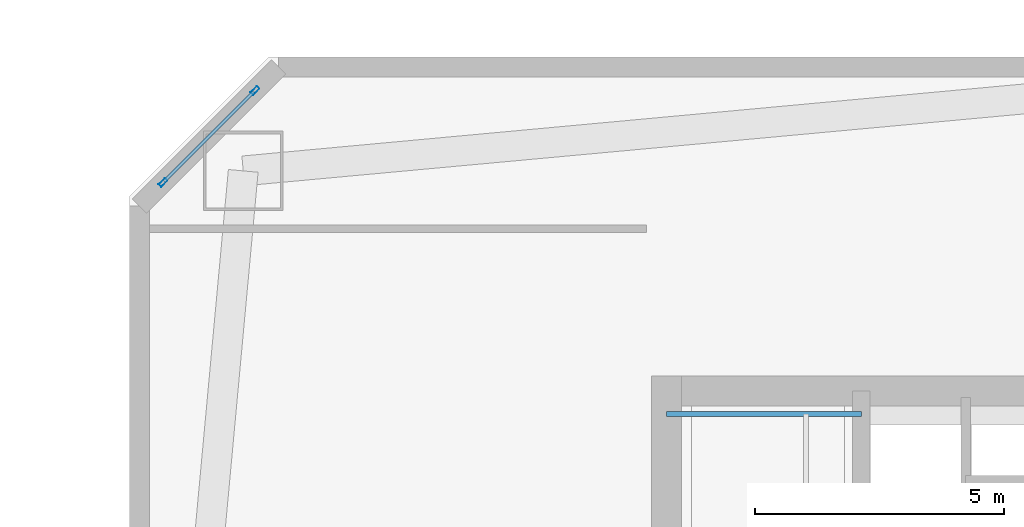
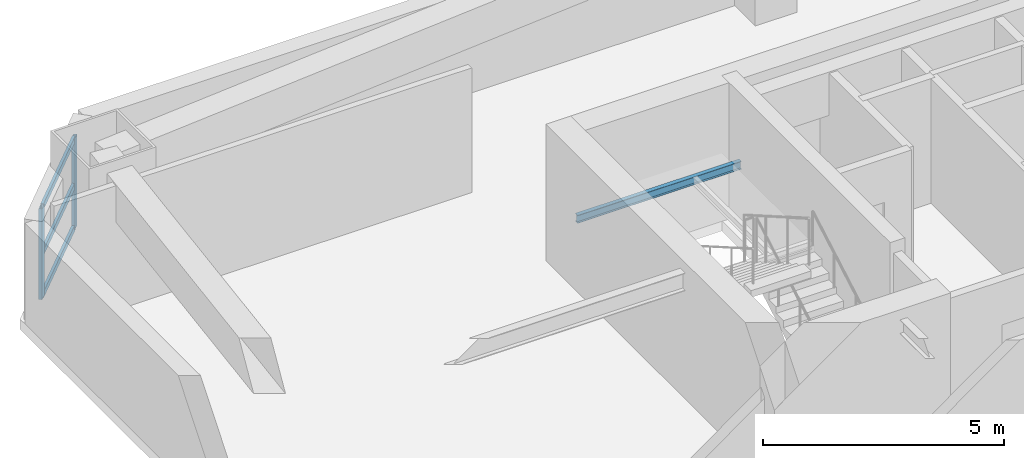
# One storey, part 5 of 23: 5 members, 1 beam, 1 element without a shape of its own.
"""IFC4 building model written with IfcOpenShell, lengths in metres."""

import ifcopenshell
import ifcopenshell.guid

model = None  # the IFC model being written
_history = None  # IfcOwnerHistory: only IFC2X3 demands one
_inside = {}  # id of a spatial element -> (the spatial element, [elements in it])
_under = {}  # id of a project, library or spatial element -> (it, [spatial elements below it])
_declared = {}  # id of a project -> (the project, [libraries it declares])
_typed = {}  # id of a type object -> (the type object, [elements of that type])
_made_of = {}  # id of a material, layer set ... -> (it, [elements and type objects made of it])


def new_model(schema):
    """Start an empty IFC model of exactly this schema.

    Asked for "IFC4X3", IfcOpenShell would pick the latest addendum, in which some entities
    have other attributes; the version numbers below select the first issue.
    IFC2X3 requires an IfcOwnerHistory on every rooted entity: one is made here for all.
    """
    global model, _history
    if schema == "IFC4X3":
        model = ifcopenshell.file(schema_version=(4, 3, 0, 0))
    else:
        model = ifcopenshell.file(schema=schema)
    _inside.clear()
    _under.clear()
    _declared.clear()
    _typed.clear()
    _made_of.clear()
    _history = None
    if model.schema == "IFC2X3":
        org = make("IfcOrganization", Name="unknown")
        user = make(
            "IfcPersonAndOrganization",
            ThePerson=make("IfcPerson", FamilyName="unknown"),
            TheOrganization=org,
        )
        app = make(
            "IfcApplication",
            ApplicationDeveloper=org,
            Version="unknown",
            ApplicationFullName="unknown",
            ApplicationIdentifier="unknown",
        )
        _history = make(
            "IfcOwnerHistory",
            OwningUser=user,
            OwningApplication=app,
            ChangeAction="ADDED",
            CreationDate=0,
        )
    return model


def make(cls, **values):
    """One entity of the class cls with the attributes given. An attribute that is None is left unset."""
    return model.create_entity(
        cls, **{name: value for name, value in values.items() if value is not None}
    )


def rooted(cls, **values):
    """An entity with a GlobalId (a new one), such as an element, a storey or a relation."""
    return make(cls, GlobalId=ifcopenshell.guid.new(), OwnerHistory=_history, **values)


def si_unit(unit_type, name, prefix=None):
    """IfcSIUnit, for example si_unit("LENGTHUNIT", "METRE", prefix="MILLI")."""
    return make("IfcSIUnit", UnitType=unit_type, Prefix=prefix, Name=name)


def assignment(units):
    """IfcUnitAssignment: the units of a project."""
    return None if units is None else make("IfcUnitAssignment", Units=units)


def point(xyz):
    """IfcCartesianPoint."""
    return None if xyz is None else make("IfcCartesianPoint", Coordinates=xyz)


def direction(xyz):
    """IfcDirection."""
    return None if xyz is None else make("IfcDirection", DirectionRatios=xyz)


def frame(location, z_axis=None, x_axis=None):
    """IfcAxis2Placement3D, a coordinate frame: its origin and axes. An axis left out is left unset."""
    return make(
        "IfcAxis2Placement3D",
        Location=point(location),
        Axis=direction(z_axis),
        RefDirection=direction(x_axis),
    )


def frame_2d(location, x_axis=None):
    """IfcAxis2Placement2D, a coordinate frame in the plane: its origin and x axis."""
    return make(
        "IfcAxis2Placement2D", Location=point(location), RefDirection=direction(x_axis)
    )


def origin():
    """The frame at (0, 0, 0) with its axes left unset."""
    return frame((0.0, 0.0, 0.0))


def origin_2d():
    """The frame at (0, 0) in the plane with its x axis left unset."""
    return frame_2d((0.0, 0.0))


def place(relative_to, where):
    """IfcLocalPlacement: puts the frame where relative to a parent placement (None: the world)."""
    return make(
        "IfcLocalPlacement", PlacementRelTo=relative_to, RelativePlacement=where
    )


def context(
    kind, dimensions, precision=None, world=None, true_north=None, identifier=None
):
    """IfcGeometricRepresentationContext, for example the 3D "Model" context."""
    return make(
        "IfcGeometricRepresentationContext",
        ContextIdentifier=identifier,
        ContextType=kind,
        CoordinateSpaceDimension=dimensions,
        Precision=precision,
        WorldCoordinateSystem=world,
        TrueNorth=true_north,
    )


def subcontext(parent, identifier, kind, view, scale=None):
    """IfcGeometricRepresentationSubContext, for example "Body" below "Model"."""
    return make(
        "IfcGeometricRepresentationSubContext",
        ContextIdentifier=identifier,
        ContextType=kind,
        ParentContext=parent,
        TargetScale=scale,
        TargetView=view,
    )


def project(units=None, contexts=None):
    """IfcProject with its units and contexts."""
    return rooted(
        "IfcProject",
        Name="project",
        RepresentationContexts=contexts,
        UnitsInContext=assignment(units),
    )


def spatial(cls, under=None, at=None, **own):
    """A site, building, storey or space (cls), placed at a placement, below another one or the project."""
    s = rooted(cls, ObjectPlacement=at, **own)
    if under is not None:
        _under.setdefault(under.id(), (under, []))[1].append(s)
    return s


def profile(cls, at=None, kind="AREA", **sizes):
    """A parametric profile (cls). Its sizes go by their IFC names, for example OverallWidth=200.0."""
    return make(cls, ProfileType=kind, Position=at, **sizes)


def hollow_rectangle(**sizes):
    """IfcRectangleHollowProfileDef."""
    return profile("IfcRectangleHollowProfileDef", **sizes)


def i_section(**sizes):
    """IfcIShapeProfileDef."""
    return profile("IfcIShapeProfileDef", **sizes)


def extrude(swept, where, along, depth):
    """IfcExtrudedAreaSolid: the profile swept, set in the frame where, extruded along a direction by depth."""
    return make(
        "IfcExtrudedAreaSolid",
        SweptArea=swept,
        Position=where,
        ExtrudedDirection=direction(along),
        Depth=depth,
    )


def shape(context_of_items, identifier, shape_type, items):
    """IfcShapeRepresentation: the items that make up one representation, for example the "Body"."""
    return make(
        "IfcShapeRepresentation",
        ContextOfItems=context_of_items,
        RepresentationIdentifier=identifier,
        RepresentationType=shape_type,
        Items=items,
    )


def material(Name=None, Category=None):
    """IfcMaterial."""
    return make("IfcMaterial", Name=Name, Category=Category)


def layer(
    of_material, thickness, ventilated=None, Name=None, Category=None, Priority=None
):
    """IfcMaterialLayer: one layer of a wall or slab, of a material (None: an air gap)."""
    return make(
        "IfcMaterialLayer",
        Material=of_material,
        LayerThickness=thickness,
        IsVentilated=ventilated,
        Name=Name,
        Category=Category,
        Priority=Priority,
    )


def layer_set(layers, Name=None):
    """IfcMaterialLayerSet."""
    return make("IfcMaterialLayerSet", MaterialLayers=layers, LayerSetName=Name)


def material_profile(
    of_material, cross_section, Name=None, Category=None, Priority=None
):
    """IfcMaterialProfile: a cross section and its material."""
    return make(
        "IfcMaterialProfile",
        Name=Name,
        Material=of_material,
        Profile=cross_section,
        Priority=Priority,
        Category=Category,
    )


def profile_set(profiles, Name=None, composite=None):
    """IfcMaterialProfileSet."""
    return make(
        "IfcMaterialProfileSet",
        Name=Name,
        MaterialProfiles=profiles,
        CompositeProfile=composite,
    )


def made_of(thing, what):
    """Note that an element or type object is made of a material, layer set ...; save() writes the relation."""
    if what is not None:
        _made_of.setdefault(what.id(), (what, []))[1].append(thing)
    return thing


def type_object(cls, material=None, **own):
    """A type object (cls), such as IfcWallType, which elements share."""
    return made_of(rooted(cls, **own), material)


def element(
    cls,
    number,
    at=None,
    inside=None,
    cuts=None,
    type_object=None,
    material=None,
    context=None,
    identifier="Body",
    shape_type=None,
    held_by="IfcProductDefinitionShape",
    body=None,
    shapes=None,
    **own,
):
    """One element of the class cls, such as IfcWall. Its Tag is "e" and its number.

    at: its placement. inside: the storey or other place that contains it. cuts: it is an
    opening in that element (IfcRelVoidsElement). A single representation is given by context,
    identifier, shape_type and body (its items); several are given by shapes. held_by: the class
    of the entity that holds the representations. save() writes the other relations.
    """
    e = rooted(cls, Tag="e%d" % number, ObjectPlacement=at, **own)
    if body is not None:
        shapes = [shape(context, identifier, shape_type, body)]
    if shapes is not None:
        e.Representation = make(held_by, Representations=shapes)
    if inside is not None:
        _inside.setdefault(inside.id(), (inside, []))[1].append(e)
    if cuts is not None:
        rooted(
            "IfcRelVoidsElement", RelatingBuildingElement=cuts, RelatedOpeningElement=e
        )
    if type_object is not None:
        _typed.setdefault(type_object.id(), (type_object, []))[1].append(e)
    return made_of(e, material)


def aggregate(whole, parts):
    """IfcRelAggregates: a whole, such as a stair, and the parts it consists of."""
    return rooted("IfcRelAggregates", RelatingObject=whole, RelatedObjects=parts)


def save(model, path):
    """Write the relations noted so far, then the file.

    IfcRelAggregates (storeys below a building ...), IfcRelContainedInSpatialStructure (elements
    in a storey), IfcRelDefinesByType, IfcRelAssociatesMaterial and IfcRelDeclares: one each for
    every whole, place, type object, material and project.
    """
    for whole, parts in _under.values():
        aggregate(whole, parts)
    for where, things in _inside.values():
        rooted(
            "IfcRelContainedInSpatialStructure",
            RelatedElements=things,
            RelatingStructure=where,
        )
    for kind, things in _typed.values():
        rooted("IfcRelDefinesByType", RelatedObjects=things, RelatingType=kind)
    for what, things in _made_of.values():
        rooted("IfcRelAssociatesMaterial", RelatedObjects=things, RelatingMaterial=what)
    for by, libraries in _declared.values():
        rooted("IfcRelDeclares", RelatingContext=by, RelatedDefinitions=libraries)
    model.write(path)


model = new_model("IFC4")

# Units and contexts
model_context = context("Model", 3, precision=1e-05, world=origin(), true_north=direction((0.0, 1.0)))
body_context = subcontext(model_context, "Body", "Model", "MODEL_VIEW")
ifc_project = project(units=[si_unit("LENGTHUNIT", "METRE"), si_unit("AREAUNIT", "SQUARE_METRE"), si_unit("VOLUMEUNIT", "CUBIC_METRE"), si_unit("PLANEANGLEUNIT", "RADIAN"), si_unit("MASSUNIT", "GRAM", prefix="KILO")], contexts=[model_context])

# Site, building, storey
site_placement = place(None, origin())
site = spatial("IfcSite", under=ifc_project, at=site_placement, CompositionType="ELEMENT")
building_placement = place(site_placement, origin())
building = spatial("IfcBuilding", under=site, at=building_placement, Name="Qiaolan Cultural Towers", CompositionType="ELEMENT")
storey_placement = place(building_placement, frame((0.0, 0.0, 100.050048828125)))
storey = spatial("IfcBuildingStorey", under=building, at=storey_placement, Name="L25", CompositionType="ELEMENT", Elevation=100.050048828125)

# Beam
ifc_material_1 = material(Name="Steel Q355B", Category="steel")
ifc_material_profile_1 = material_profile(ifc_material_1, i_section(OverallWidth=0.10009765625, OverallDepth=0.199951171875, WebThickness=0.005615234375, FlangeThickness=0.008056640625, at=origin_2d()), Name="HN200x100x5.5x8")
ifc_profile_set_1 = profile_set([ifc_material_profile_1], Name="Steel Q355B")
beam_type = type_object("IfcBeamType", Name="BM-STTRIM-200", PredefinedType="BEAM", material=ifc_profile_set_1)
beam_placement = place(storey_placement, frame((21.800048828125, 54.820068359375, 1.425048828125), z_axis=(1.0, 0.0, 0.0), x_axis=(0.0, 1.0, 0.0)))
element("IfcBeam", 1, at=beam_placement, inside=storey, type_object=beam_type, Name="L25 ST-W2 Stair Landing Support Beam 1-2", PredefinedType="BEAM", context=body_context, shape_type="SweptSolid", body=[
    extrude(i_section(OverallWidth=0.10009765625, OverallDepth=0.199951171875, WebThickness=0.005615234375, FlangeThickness=0.008056640625, at=origin_2d()), origin(), (0.0, 0.0, 1.0), 3.919921875),
])

# Curtain wall, members
ifc_material_2 = material(Name="Unitized Anodized Aluminium Curtain Wall System", Category="aluminium")
ifc_layer = layer(ifc_material_2, 0.199951171875)
ifc_layer_set = layer_set([ifc_layer], Name="Unitized Anodized Aluminium Curtain Wall System")
curtain_wall_type = type_object("IfcCurtainWallType", Name="CWS-03", PredefinedType="NOTDEFINED", material=ifc_layer_set)
curtain_wall_placement = place(storey_placement, origin())
curtain_wall = element("IfcCurtainWall", 2, at=curtain_wall_placement, inside=storey, type_object=curtain_wall_type, Name="L25 T1 Chamfer Wind-Corner Feature Curtain Wall 1", PredefinedType="NOTDEFINED")
ifc_material_3 = material(Name="Extruded Aluminium 6063-T6", Category="aluminium")
ifc_material_profile_2 = material_profile(ifc_material_3, hollow_rectangle(XDim=0.074951171875, YDim=0.179931640625, WallThickness=0.00390625, at=origin_2d()), Name="CWM-180x75x4")
ifc_profile_set_2 = profile_set([ifc_material_profile_2], Name="Extruded Aluminium 6063-T6")
member_type_1 = type_object("IfcMemberType", Name="CWS-03-MUL", PredefinedType="MULLION", material=ifc_profile_set_2)
member_1_placement = place(storey_placement, frame((11.674560546875, 59.474609375, 0.14990234375), z_axis=(0.0, 0.0, 1.0), x_axis=(-0.707106781187, 0.707106781187, 0.0)))
member_1 = element("IfcMember", 3, at=member_1_placement, type_object=member_type_1, Name="CW-3 mullion 1", PredefinedType="MULLION", context=body_context, shape_type="SweptSolid", body=[
    extrude(hollow_rectangle(XDim=0.074951171875, YDim=0.179931640625, WallThickness=0.00390625, at=origin_2d()), origin(), (0.0, 0.0, 1.0), 2.300048828125),
])
member_2_placement = place(storey_placement, frame((13.525390625, 61.325439453125, 0.14990234375), z_axis=(0.0, 0.0, 1.0), x_axis=(-0.707106781187, 0.707106781187, 0.0)))
member_2 = element("IfcMember", 4, at=member_2_placement, type_object=member_type_1, Name="CW-3 mullion 2", PredefinedType="MULLION", context=body_context, shape_type="SweptSolid", body=[
    extrude(hollow_rectangle(XDim=0.074951171875, YDim=0.179931640625, WallThickness=0.00390625, at=origin_2d()), origin(), (0.0, 0.0, 1.0), 2.300048828125),
])
ifc_material_4 = material(Name="Extruded Aluminium 6063-T6", Category="aluminium")
ifc_material_profile_3 = material_profile(ifc_material_4, hollow_rectangle(XDim=0.06494140625, YDim=0.14990234375, WallThickness=0.00390625, at=origin_2d()), Name="CWT-150x65x4")
ifc_profile_set_3 = profile_set([ifc_material_profile_3], Name="Extruded Aluminium 6063-T6")
member_type_2 = type_object("IfcMemberType", Name="CWS-03-TRN", PredefinedType="USERDEFINED", material=ifc_profile_set_3)
member_3_placement = place(storey_placement, frame((11.700927734375, 59.5009765625, 0.182373046875), z_axis=(0.707106781187, 0.707106781187, 0.0), x_axis=(-0.707106781187, 0.707106781187, 0.0)))
member_3 = element("IfcMember", 5, at=member_3_placement, type_object=member_type_2, Name="CW-3 transom 1.1", ObjectType="TRANSOM", PredefinedType="USERDEFINED", context=body_context, shape_type="SweptSolid", body=[
    extrude(hollow_rectangle(XDim=0.06494140625, YDim=0.14990234375, WallThickness=0.00390625, at=origin_2d()), origin(), (0.0, 0.0, 1.0), 2.54296875),
])
member_4_placement = place(storey_placement, frame((11.700927734375, 59.5009765625, 1.25), z_axis=(0.707106781187, 0.707106781187, 0.0), x_axis=(-0.707106781187, 0.707106781187, 0.0)))
member_4 = element("IfcMember", 6, at=member_4_placement, type_object=member_type_2, Name="CW-3 transom 1.2", ObjectType="TRANSOM", PredefinedType="USERDEFINED", context=body_context, shape_type="SweptSolid", body=[
    extrude(hollow_rectangle(XDim=0.06494140625, YDim=0.14990234375, WallThickness=0.00390625, at=origin_2d()), origin(), (0.0, 0.0, 1.0), 2.54296875),
])
member_5_placement = place(storey_placement, frame((11.700927734375, 59.5009765625, 2.41748046875), z_axis=(0.707106781187, 0.707106781187, 0.0), x_axis=(-0.707106781187, 0.707106781187, 0.0)))
member_5 = element("IfcMember", 7, at=member_5_placement, type_object=member_type_2, Name="CW-3 transom 1.3", ObjectType="TRANSOM", PredefinedType="USERDEFINED", context=body_context, shape_type="SweptSolid", body=[
    extrude(hollow_rectangle(XDim=0.06494140625, YDim=0.14990234375, WallThickness=0.00390625, at=origin_2d()), origin(), (0.0, 0.0, 1.0), 2.54296875),
])
aggregate(curtain_wall, [member_1, member_2, member_3, member_4, member_5])

save(model, "model.ifc")
